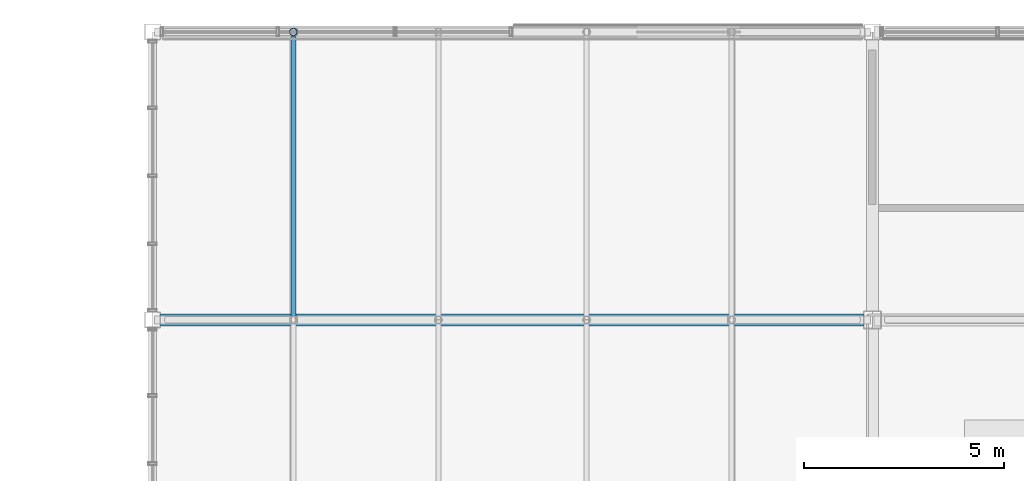
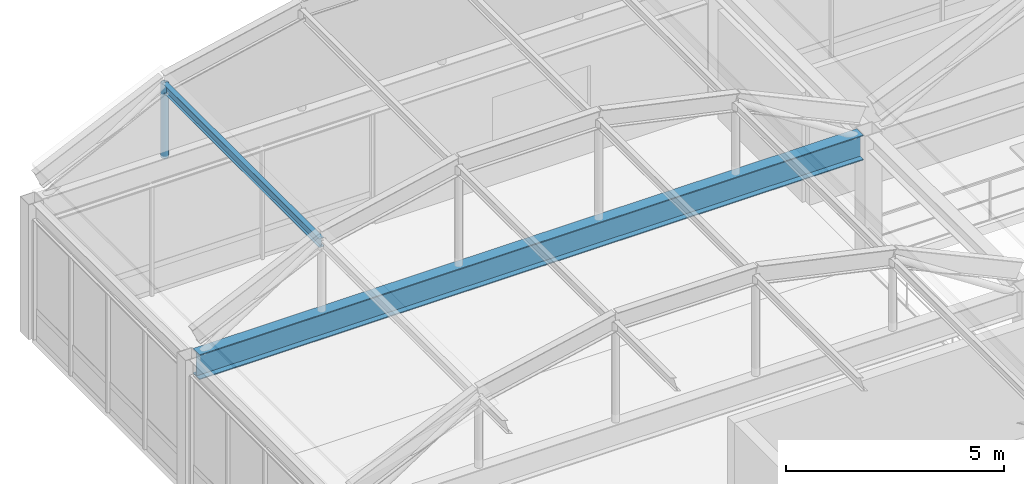
# One storey, part 58 of 106: 2 members, 1 beam.
"""IFC4 building model written with IfcOpenShell, lengths in metres."""

from ifc_helpers import new_model, si_unit, direction, frame, origin, origin_2d, place, context, subcontext, project, spatial, hollow_circle, i_section, extrude, material, material_profile, profile_set, type_object, element, save


model = new_model("IFC4")

# Units and contexts
model_context = context("Model", 3, precision=1e-05, world=origin(), true_north=direction((0.0, 1.0)))
body_context = subcontext(model_context, "Body", "Model", "MODEL_VIEW")
ifc_project = project(units=[si_unit("LENGTHUNIT", "METRE"), si_unit("AREAUNIT", "SQUARE_METRE"), si_unit("VOLUMEUNIT", "CUBIC_METRE"), si_unit("PLANEANGLEUNIT", "RADIAN"), si_unit("MASSUNIT", "GRAM", prefix="KILO")], contexts=[model_context])

# Site, building, storey
site_placement = place(None, origin())
site = spatial("IfcSite", under=ifc_project, at=site_placement, CompositionType="ELEMENT")
building_placement = place(site_placement, origin())
building = spatial("IfcBuilding", under=site, at=building_placement, Name="Kazanami Central Library", CompositionType="ELEMENT")
storey_placement = place(building_placement, frame((0.0, 0.0, 12.800048828125)))
storey = spatial("IfcBuildingStorey", under=building, at=storey_placement, Name="L04", CompositionType="ELEMENT", Elevation=12.800048828125)

# Beam
ifc_material_1 = material(Name="Steel SN490B (325 MPa)", Category="steel")
ifc_material_profile_1 = material_profile(ifc_material_1, i_section(OverallWidth=0.300048828125, OverallDepth=0.699951171875, WebThickness=0.012939453125, FlangeThickness=0.02392578125, at=origin_2d()), Name="H-700x300x13x24")
ifc_profile_set_1 = profile_set([ifc_material_profile_1], Name="Steel SN490B (325 MPa)")
beam_type = type_object("IfcBeamType", Name="BM-G-AT", PredefinedType="BEAM", material=ifc_profile_set_1)
beam_placement = place(storey_placement, frame((45.197998046875, 86.39990234375, 3.429931640625), z_axis=(1.0, 0.0, 0.0), x_axis=(0.0, 1.0, 0.0)))
element("IfcBeam", 1, at=beam_placement, inside=storey, type_object=beam_type, Name="Barrel Vault Springing Tie Girder G-AT L04 W Grid N", PredefinedType="BEAM", context=body_context, shape_type="SweptSolid", body=[
    extrude(i_section(OverallWidth=0.300048828125, OverallDepth=0.699951171875, WebThickness=0.012939453125, FlangeThickness=0.02392578125, at=origin_2d()), origin(), (0.0, 0.0, 1.0), 17.5791015625),
])

# Members
ifc_material_2 = material(Name="Steel SN400B (235 MPa)", Category="steel")
ifc_material_profile_2 = material_profile(ifc_material_2, i_section(OverallWidth=0.125, OverallDepth=0.25, WebThickness=0.006103515625, FlangeThickness=0.009033203125, at=origin_2d()), Name="H-250x125x6x9")
ifc_profile_set_2 = profile_set([ifc_material_profile_2], Name="Steel SN400B (235 MPa)")
member_type_1 = type_object("IfcMemberType", Name="MEM-PUR-250", PredefinedType="PURLIN", material=ifc_profile_set_2)
member_1_placement = place(storey_placement, frame((48.519775390625, 86.405029296875, 5.669189453125), z_axis=(0.0, 1.0, 0.0), x_axis=(-1.0, 0.0, 0.0)))
element("IfcMember", 2, at=member_1_placement, inside=storey, type_object=member_type_1, Name="Barrel Vault Longitudinal Purlin VAULT-WEST Knuckle 1.4", PredefinedType="PURLIN", context=body_context, shape_type="SweptSolid", body=[
    extrude(i_section(OverallWidth=0.125, OverallDepth=0.25, WebThickness=0.006103515625, FlangeThickness=0.009033203125, at=origin_2d()), origin(), (0.0, 0.0, 1.0), 7.18994140625),
])
ifc_material_3 = material(Name="Steel STK490 (315 MPa)", Category="steel")
ifc_material_profile_3 = material_profile(ifc_material_3, hollow_circle(Radius=0.095458984375, WallThickness=0.007080078125, at=origin_2d()), Name="CHS-190.7x7.0")
ifc_profile_set_3 = profile_set([ifc_material_profile_3], Name="Steel STK490 (315 MPa)")
member_type_2 = type_object("IfcMemberType", Name="MEM-VST-190", PredefinedType="STRUT", material=ifc_profile_set_3)
member_2_placement = place(storey_placement, frame((48.519775390625, 93.60009765625, 3.71484375), z_axis=(0.0, 0.0, 1.0), x_axis=(1.0, 0.0, 0.0)))
element("IfcMember", 3, at=member_2_placement, inside=storey, type_object=member_type_2, Name="Barrel Vault Tied-Arch Web Strut VAULT-WEST Grid O Knuckle 1", PredefinedType="STRUT", context=body_context, shape_type="SweptSolid", body=[
    extrude(hollow_circle(Radius=0.095458984375, WallThickness=0.007080078125, at=origin_2d()), origin(), (0.0, 0.0, 1.0), 2.07421875),
])

save(model, "model.ifc")
